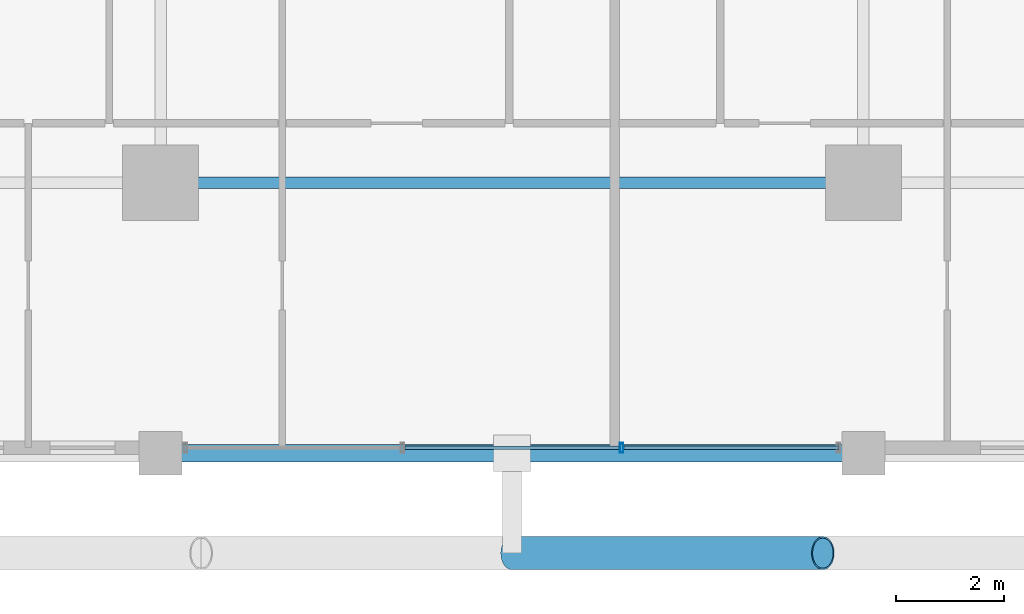
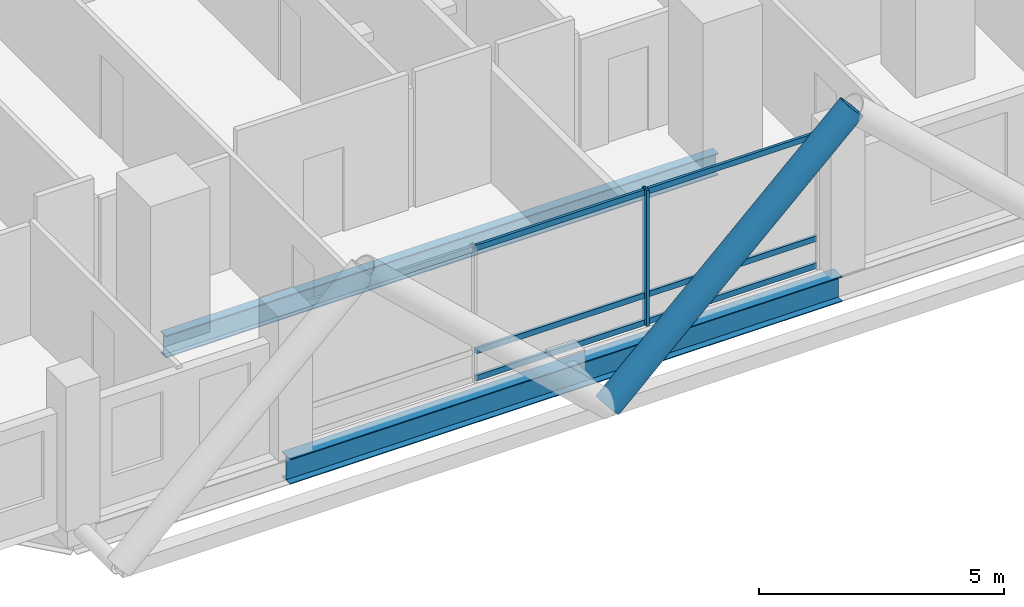
# One storey, part 3 of 27: 8 members, 2 beams, 1 element without a shape of its own.
"""IFC4 building model written with IfcOpenShell, lengths in metres."""

from ifc_helpers import new_model, si_unit, direction, frame, origin, origin_2d, place, context, subcontext, project, spatial, hollow_rectangle, hollow_circle, i_section, extrude, material, layer, layer_set, material_profile, profile_set, type_object, element, aggregate, save


model = new_model("IFC4")

# Units and contexts
model_context = context("Model", 3, precision=1e-05, world=origin(), true_north=direction((0.0, 1.0)))
body_context = subcontext(model_context, "Body", "Model", "MODEL_VIEW")
ifc_project = project(units=[si_unit("LENGTHUNIT", "METRE"), si_unit("AREAUNIT", "SQUARE_METRE"), si_unit("VOLUMEUNIT", "CUBIC_METRE"), si_unit("PLANEANGLEUNIT", "RADIAN"), si_unit("MASSUNIT", "GRAM", prefix="KILO")], contexts=[model_context])

# Site, building, storey
site_placement = place(None, origin())
site = spatial("IfcSite", under=ifc_project, at=site_placement, CompositionType="ELEMENT")
building_placement = place(site_placement, origin())
building = spatial("IfcBuilding", under=site, at=building_placement, Name="Barlavira Tower and Art Museum", CompositionType="ELEMENT")
storey_placement = place(building_placement, frame((0.0, 0.0, 50.39990234375)))
storey = spatial("IfcBuildingStorey", under=building, at=storey_placement, Name="L11", CompositionType="ELEMENT", Elevation=50.39990234375)

# Curtain wall, members
ifc_material_1 = material(Name="Low-iron coastal laminated glass", Category="glass")
ifc_layer = layer(ifc_material_1, 0.179931640625, Name="Low-iron coastal laminated glass")
ifc_layer_set = layer_set([ifc_layer], Name="Low-iron coastal laminated glass")
curtain_wall_type = type_object("IfcCurtainWallType", Name="Pale-Metal Unitised Curtain Wall Zone 1", PredefinedType="NOTDEFINED", material=ifc_layer_set)
curtain_wall_placement = place(storey_placement, origin())
curtain_wall = element("IfcCurtainWall", 1, at=curtain_wall_placement, inside=storey, type_object=curtain_wall_type, Name="L11 Curtain Wall CW1-L11-S-B3", PredefinedType="NOTDEFINED")
ifc_material_2 = material(Name="Pale anodised aluminium", Category="aluminium")
ifc_material_profile_1 = material_profile(ifc_material_2, hollow_rectangle(XDim=0.06494140625, YDim=0.179931640625, WallThickness=0.00390625, at=origin_2d()), Name="ALU-MULL 65x180x4")
ifc_profile_set_1 = profile_set([ifc_material_profile_1], Name="Pale anodised aluminium")
member_type_1 = type_object("IfcMemberType", Name="Curtain Wall Pale-Metal Mullion 65x180", PredefinedType="MULLION", material=ifc_profile_set_1)
member_1_placement = place(storey_placement, frame((2.026611328125, -24.89990234375, 0.0), z_axis=(0.0, 0.0, 1.0), x_axis=(1.0, 0.0, 0.0)))
member_1 = element("IfcMember", 2, at=member_1_placement, type_object=member_type_1, Name="CW1-L11-S-B3 Mullion 2", PredefinedType="MULLION", context=body_context, shape_type="SweptSolid", body=[
    extrude(hollow_rectangle(XDim=0.06494140625, YDim=0.179931640625, WallThickness=0.00390625, at=origin_2d()), origin(), (0.0, 0.0, 1.0), 3.380126953125),
])
ifc_material_profile_2 = material_profile(ifc_material_2, hollow_rectangle(XDim=0.06494140625, YDim=0.139892578125, WallThickness=0.00390625, at=origin_2d()), Name="ALU-TRAN 65x140x4")
ifc_profile_set_2 = profile_set([ifc_material_profile_2], Name="Pale anodised aluminium")
member_type_2 = type_object("IfcMemberType", Name="Curtain Wall Pale-Metal Transom 65x140", PredefinedType="USERDEFINED", material=ifc_profile_set_2)
member_2_placement = place(storey_placement, frame((-1.981689453125, -24.89990234375, 0.070068359375), z_axis=(1.0, 0.0, 0.0), x_axis=(0.0, 1.0, 0.0)))
member_2 = element("IfcMember", 3, at=member_2_placement, type_object=member_type_2, Name="CW1-L11-S-B3 Transom 1.1", ObjectType="TRANSOM", PredefinedType="USERDEFINED", context=body_context, shape_type="SweptSolid", body=[
    extrude(hollow_rectangle(XDim=0.06494140625, YDim=0.139892578125, WallThickness=0.00390625, at=origin_2d()), origin(), (0.0, 0.0, 1.0), 3.96337890625),
])
member_3_placement = place(storey_placement, frame((-1.981689453125, -24.89990234375, 0.744140625), z_axis=(1.0, 0.0, 0.0), x_axis=(0.0, 1.0, 0.0)))
member_3 = element("IfcMember", 4, at=member_3_placement, type_object=member_type_2, Name="CW1-L11-S-B3 Transom 1.2", ObjectType="TRANSOM", PredefinedType="USERDEFINED", context=body_context, shape_type="SweptSolid", body=[
    extrude(hollow_rectangle(XDim=0.06494140625, YDim=0.139892578125, WallThickness=0.00390625, at=origin_2d()), origin(), (0.0, 0.0, 1.0), 3.96337890625),
])
member_4_placement = place(storey_placement, frame((-1.981689453125, -24.89990234375, 3.31005859375), z_axis=(1.0, 0.0, 0.0), x_axis=(0.0, 1.0, 0.0)))
member_4 = element("IfcMember", 5, at=member_4_placement, type_object=member_type_2, Name="CW1-L11-S-B3 Transom 1.3", ObjectType="TRANSOM", PredefinedType="USERDEFINED", context=body_context, shape_type="SweptSolid", body=[
    extrude(hollow_rectangle(XDim=0.06494140625, YDim=0.139892578125, WallThickness=0.00390625, at=origin_2d()), origin(), (0.0, 0.0, 1.0), 3.96337890625),
])
member_5_placement = place(storey_placement, frame((2.07177734375, -24.89990234375, 0.070068359375), z_axis=(1.0, 0.0, 0.0), x_axis=(0.0, 1.0, 0.0)))
member_5 = element("IfcMember", 6, at=member_5_placement, type_object=member_type_2, Name="CW1-L11-S-B3 Transom 2.1", ObjectType="TRANSOM", PredefinedType="USERDEFINED", context=body_context, shape_type="SweptSolid", body=[
    extrude(hollow_rectangle(XDim=0.06494140625, YDim=0.139892578125, WallThickness=0.00390625, at=origin_2d()), origin(), (0.0, 0.0, 1.0), 3.963134765625),
])
member_6_placement = place(storey_placement, frame((2.07177734375, -24.89990234375, 0.744140625), z_axis=(1.0, 0.0, 0.0), x_axis=(0.0, 1.0, 0.0)))
member_6 = element("IfcMember", 7, at=member_6_placement, type_object=member_type_2, Name="CW1-L11-S-B3 Transom 2.2", ObjectType="TRANSOM", PredefinedType="USERDEFINED", context=body_context, shape_type="SweptSolid", body=[
    extrude(hollow_rectangle(XDim=0.06494140625, YDim=0.139892578125, WallThickness=0.00390625, at=origin_2d()), origin(), (0.0, 0.0, 1.0), 3.963134765625),
])
member_7_placement = place(storey_placement, frame((2.07177734375, -24.89990234375, 3.31005859375), z_axis=(1.0, 0.0, 0.0), x_axis=(0.0, 1.0, 0.0)))
member_7 = element("IfcMember", 8, at=member_7_placement, type_object=member_type_2, Name="CW1-L11-S-B3 Transom 2.3", ObjectType="TRANSOM", PredefinedType="USERDEFINED", context=body_context, shape_type="SweptSolid", body=[
    extrude(hollow_rectangle(XDim=0.06494140625, YDim=0.139892578125, WallThickness=0.00390625, at=origin_2d()), origin(), (0.0, 0.0, 1.0), 3.963134765625),
])
aggregate(curtain_wall, [member_1, member_2, member_3, member_4, member_5, member_6, member_7])

# Member
ifc_material_3 = material(Name="Steel S355", Category="steel")
ifc_material_profile_3 = material_profile(ifc_material_3, hollow_circle(Radius=0.304931640625, WallThickness=0.028076171875, at=origin_2d()), Name="CHS 610.0x28.0")
ifc_profile_set_3 = profile_set([ifc_material_profile_3], Name="Steel S355")
member_type_3 = type_object("IfcMemberType", Name="Pale-Metal Exoskeleton Diagrid Tube CHS 610x28 Steel S355", PredefinedType="BRACE", material=ifc_profile_set_3)
member_8_placement = place(storey_placement, frame((0.0, -26.85009765625, -0.119873046875), z_axis=(0.728950095515, 0.0, 0.684566839869), x_axis=(0.0, 1.0, 0.0)))
element("IfcMember", 9, at=member_8_placement, inside=storey, type_object=member_type_3, Name="L11 Exoskeleton Diagrid Tube S", PredefinedType="BRACE", context=body_context, shape_type="SweptSolid", body=[
    extrude(hollow_circle(Radius=0.304931640625, WallThickness=0.028076171875, at=origin_2d()), origin(), (0.0, 0.0, 1.0), 7.887939453125),
])

# Beams
ifc_material_profile_4 = material_profile(ifc_material_3, i_section(OverallWidth=0.327880859375, OverallDepth=0.62890625, WebThickness=0.013916015625, FlangeThickness=0.021484375, at=origin_2d()), Name="W610x174.0")
ifc_profile_set_4 = profile_set([ifc_material_profile_4], Name="Steel S355")
beam_type_1 = type_object("IfcBeamType", Name="Perimeter Spandrel Edge Beam W610x174 Steel S355", PredefinedType="SPANDREL", material=ifc_profile_set_4)
beam_1_placement = place(storey_placement, frame((-6.5, -25.0, -0.534423828125), z_axis=(1.0, 0.0, 0.0), x_axis=(0.0, 1.0, 0.0)))
element("IfcBeam", 10, at=beam_1_placement, inside=storey, type_object=beam_type_1, Name="L11 Spandrel 2", PredefinedType="SPANDREL", context=body_context, shape_type="SweptSolid", body=[
    extrude(i_section(OverallWidth=0.327880859375, OverallDepth=0.62890625, WebThickness=0.013916015625, FlangeThickness=0.021484375, at=origin_2d()), origin(), (0.0, 0.0, 1.0), 13.0),
])
ifc_material_profile_5 = material_profile(ifc_material_3, i_section(OverallWidth=0.214111328125, OverallDepth=0.549072265625, WebThickness=0.0146484375, FlangeThickness=0.023681640625, at=origin_2d()), Name="W530x138.0")
ifc_profile_set_5 = profile_set([ifc_material_profile_5], Name="Steel S355")
beam_type_2 = type_object("IfcBeamType", Name="Zone 1 Primary Floor Girder W530x138 Steel S355", PredefinedType="BEAM", material=ifc_profile_set_5)
beam_2_placement = place(storey_placement, frame((-6.5, -20.0, -0.494384765625), z_axis=(1.0, 0.0, 0.0), x_axis=(0.0, 1.0, 0.0)))
element("IfcBeam", 11, at=beam_2_placement, inside=storey, type_object=beam_type_2, Name="L11 Girder M-S2", PredefinedType="BEAM", context=body_context, shape_type="SweptSolid", body=[
    extrude(i_section(OverallWidth=0.214111328125, OverallDepth=0.549072265625, WebThickness=0.0146484375, FlangeThickness=0.023681640625, at=origin_2d()), origin(), (0.0, 0.0, 1.0), 13.0),
])

save(model, "model.ifc")
